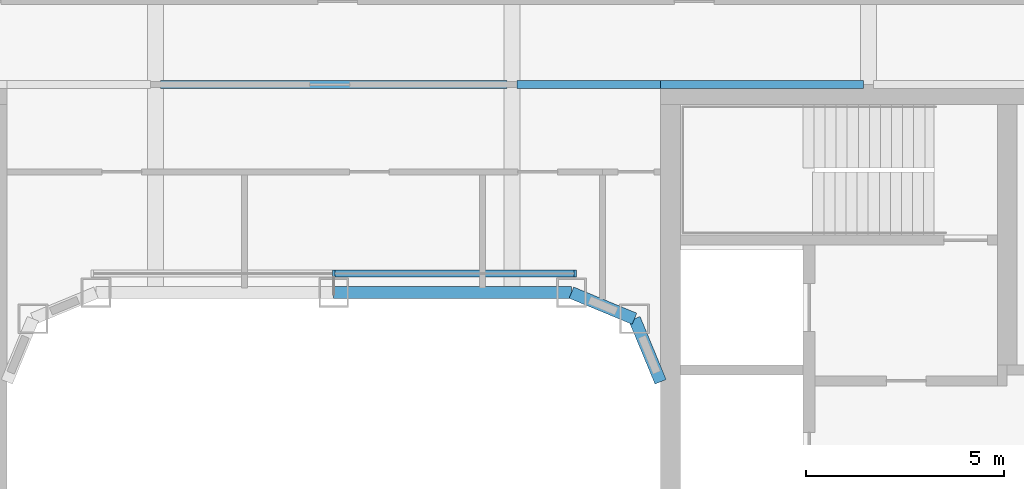
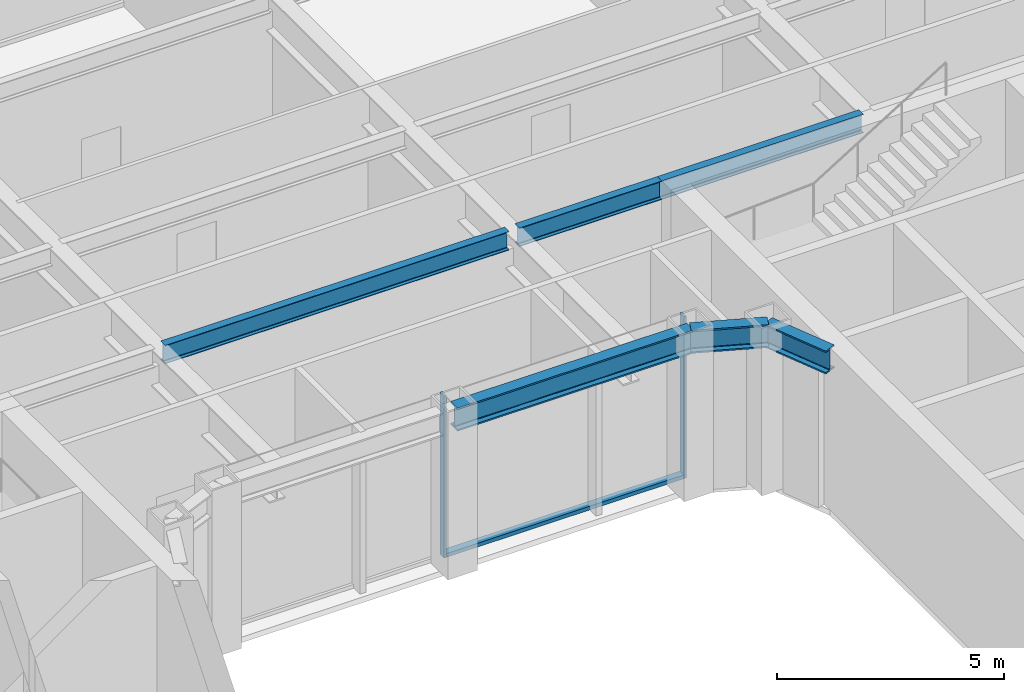
# One storey, part 8 of 30: 6 beams, 3 members, 1 element without a shape of its own.
"""IFC4 building model written with IfcOpenShell, lengths in metres."""

from ifc_helpers import new_model, si_unit, direction, frame, origin, origin_2d, place, context, subcontext, project, spatial, rectangle, i_section, extrude, material, layer, layer_set, material_profile, profile_set, type_object, element, aggregate, save


model = new_model("IFC4")

# Units and contexts
model_context = context("Model", 3, precision=1e-05, world=origin(), true_north=direction((0.0, 1.0)))
body_context = subcontext(model_context, "Body", "Model", "MODEL_VIEW")
ifc_project = project(units=[si_unit("LENGTHUNIT", "METRE"), si_unit("AREAUNIT", "SQUARE_METRE"), si_unit("VOLUMEUNIT", "CUBIC_METRE"), si_unit("PLANEANGLEUNIT", "RADIAN"), si_unit("MASSUNIT", "GRAM", prefix="KILO")], contexts=[model_context])

# Site, building, storey
site_placement = place(None, origin())
site = spatial("IfcSite", under=ifc_project, at=site_placement, CompositionType="ELEMENT")
building_placement = place(site_placement, origin())
building = spatial("IfcBuilding", under=site, at=building_placement, Name="Siwar Civic Tower", CompositionType="ELEMENT")
storey_placement = place(building_placement, frame((0.0, 0.0, 62.699951171875)))
storey = spatial("IfcBuildingStorey", under=building, at=storey_placement, Name="L13", CompositionType="ELEMENT", Elevation=62.699951171875)

# Curtain wall, members
ifc_material_1 = material(Name="Aluminium and glass", Category="aluminium")
ifc_layer = layer(ifc_material_1, 0.179931640625)
ifc_layer_set = layer_set([ifc_layer], Name="Aluminium and glass")
curtain_wall_type = type_object("IfcCurtainWallType", Name="ENV-CW-W", PredefinedType="NOTDEFINED", material=ifc_layer_set)
curtain_wall_placement = place(storey_placement, origin())
curtain_wall = element("IfcCurtainWall", 1, at=curtain_wall_placement, inside=storey, type_object=curtain_wall_type, Name="Curtain wall W WN", PredefinedType="NOTDEFINED")
ifc_material_2 = material(Name="Aluminium 6063-T6", Category="aluminium")
ifc_material_profile_1 = material_profile(ifc_material_2, rectangle(XDim=0.179931640625, YDim=0.06005859375, at=origin_2d()), Name="AL 180x60")
ifc_profile_set_1 = profile_set([ifc_material_profile_1], Name="Aluminium 6063-T6")
member_type_1 = type_object("IfcMemberType", Name="ENV-MULLION-W", PredefinedType="MULLION", material=ifc_profile_set_1)
member_1_placement = place(storey_placement, frame((6.096435546875, 8.735107421875, 0.0), z_axis=(0.0, 0.0, 1.0), x_axis=(0.0, -1.0, 0.0)))
member_1 = element("IfcMember", 2, at=member_1_placement, type_object=member_type_1, Name="Mullion W WN 1", PredefinedType="MULLION", context=body_context, shape_type="SweptSolid", body=[
    extrude(rectangle(XDim=0.179931640625, YDim=0.06005859375, at=origin_2d()), origin(), (0.0, 0.0, 1.0), 4.35009765625),
])
member_2_placement = place(storey_placement, frame((0.0, 8.735107421875, 0.0), z_axis=(0.0, 0.0, 1.0), x_axis=(0.0, -1.0, 0.0)))
member_2 = element("IfcMember", 3, at=member_2_placement, type_object=member_type_1, Name="Mullion W WN 2", PredefinedType="MULLION", context=body_context, shape_type="SweptSolid", body=[
    extrude(rectangle(XDim=0.179931640625, YDim=0.06005859375, at=origin_2d()), origin(), (0.0, 0.0, 1.0), 4.35009765625),
])
ifc_material_3 = material(Name="Aluminium 6063-T6", Category="aluminium")
ifc_material_profile_2 = material_profile(ifc_material_3, rectangle(XDim=0.179931640625, YDim=0.10009765625, at=origin_2d()), Name="AL 180x100")
ifc_profile_set_2 = profile_set([ifc_material_profile_2], Name="Aluminium 6063-T6")
member_type_2 = type_object("IfcMemberType", Name="ENV-TRANSOM-W", PredefinedType="USERDEFINED", material=ifc_profile_set_2)
member_3_placement = place(storey_placement, frame((6.06640625, 8.735107421875, 0.050048828125), z_axis=(-1.0, 0.0, 0.0), x_axis=(0.0, -1.0, 0.0)))
member_3 = element("IfcMember", 4, at=member_3_placement, type_object=member_type_2, Name="Transom W WN 1", ObjectType="TRANSOM", PredefinedType="USERDEFINED", context=body_context, shape_type="SweptSolid", body=[
    extrude(rectangle(XDim=0.179931640625, YDim=0.10009765625, at=origin_2d()), origin(), (0.0, 0.0, 1.0), 6.036376953125),
])
aggregate(curtain_wall, [member_1, member_2, member_3])

# Beams
ifc_material_4 = material(Name="Steel S355", Category="steel")
ifc_material_profile_3 = material_profile(ifc_material_4, i_section(OverallWidth=0.199951171875, OverallDepth=0.5, WebThickness=0.01025390625, FlangeThickness=0.01611328125, FilletRadius=0.02099609375, at=origin_2d()), Name="IPE500")
ifc_profile_set_3 = profile_set([ifc_material_profile_3], Name="Steel S355")
beam_type_1 = type_object("IfcBeamType", Name="STR-FB-IPE500", PredefinedType="JOIST", material=ifc_profile_set_3)
beam_1_placement = place(storey_placement, frame((-4.3701171875, 13.5, 4.10009765625), z_axis=(1.0, 0.0, 0.0), x_axis=(0.0, 1.0, 0.0)))
element("IfcBeam", 5, at=beam_1_placement, inside=storey, type_object=beam_type_1, Name="L13/bm/F041", PredefinedType="JOIST", context=body_context, shape_type="SweptSolid", body=[
    extrude(i_section(OverallWidth=0.199951171875, OverallDepth=0.5, WebThickness=0.01025390625, FlangeThickness=0.01611328125, FilletRadius=0.02099609375, at=origin_2d()), origin(), (0.0, 0.0, 1.0), 8.740234375),
])
beam_2_placement = place(storey_placement, frame((4.6298828125, 13.5, 4.10009765625), z_axis=(1.0, 0.0, 0.0), x_axis=(0.0, 1.0, 0.0)))
element("IfcBeam", 6, at=beam_2_placement, inside=storey, type_object=beam_type_1, Name="L13/bm/F042", PredefinedType="JOIST", context=body_context, shape_type="SweptSolid", body=[
    extrude(i_section(OverallWidth=0.199951171875, OverallDepth=0.5, WebThickness=0.01025390625, FlangeThickness=0.01611328125, FilletRadius=0.02099609375, at=origin_2d()), origin(), (0.0, 0.0, 1.0), 3.6201171875),
])
beam_3_placement = place(storey_placement, frame((8.25, 13.5, 4.10009765625), z_axis=(1.0, 0.0, 0.0), x_axis=(0.0, 1.0, 0.0)))
element("IfcBeam", 7, at=beam_3_placement, inside=storey, type_object=beam_type_1, Name="L13/bm/F043", PredefinedType="JOIST", context=body_context, shape_type="SweptSolid", body=[
    extrude(i_section(OverallWidth=0.199951171875, OverallDepth=0.5, WebThickness=0.01025390625, FlangeThickness=0.01611328125, FilletRadius=0.02099609375, at=origin_2d()), origin(), (0.0, 0.0, 1.0), 5.1201171875),
])
ifc_material_5 = material(Name="Steel S355", Category="steel")
ifc_material_profile_4 = material_profile(ifc_material_5, i_section(OverallWidth=0.304931640625, OverallDepth=0.6201171875, WebThickness=0.02099609375, FlangeThickness=0.0400390625, FilletRadius=0.027099609375, at=origin_2d()), Name="HEM600")
ifc_profile_set_4 = profile_set([ifc_material_profile_4], Name="Steel S355")
beam_type_2 = type_object("IfcBeamType", Name="STR-RB-HEM600", PredefinedType="BEAM", material=ifc_profile_set_4)
beam_4_placement = place(storey_placement, frame((0.0, 8.25, 4.0400390625), z_axis=(1.0, 0.0, 0.0), x_axis=(0.0, 1.0, 0.0)))
element("IfcBeam", 8, at=beam_4_placement, inside=storey, type_object=beam_type_2, Name="L13/bm/RN2", PredefinedType="BEAM", context=body_context, shape_type="SweptSolid", body=[
    extrude(i_section(OverallWidth=0.304931640625, OverallDepth=0.6201171875, WebThickness=0.02099609375, FlangeThickness=0.0400390625, FilletRadius=0.027099609375, at=origin_2d()), origin(), (0.0, 0.0, 1.0), 6.0),
])
for number, where, z_axis, x_axis, name in (
    (9, (6.0, 8.25, 4.0400390625), (0.923901072997, -0.382631424892, 0.0), (0.382631424892, 0.923901072997, 0.0), "L13/bm/RN3"),
    (10, (7.591064453125, 7.591064453125, 4.0400390625), (0.382631424892, -0.923901072997, 0.0), (0.923901072997, 0.382631424892, 0.0), "L13/bm/RNEE"),
):
    element("IfcBeam", number, at=place(storey_placement, frame(where, z_axis=z_axis, x_axis=x_axis)), inside=storey, type_object=beam_type_2, Name=name, PredefinedType="BEAM", context=body_context, shape_type="SweptSolid", body=[
        extrude(i_section(OverallWidth=0.304931640625, OverallDepth=0.6201171875, WebThickness=0.02099609375, FlangeThickness=0.0400390625, FilletRadius=0.027099609375, at=origin_2d()), origin(), (0.0, 0.0, 1.0), 1.72216796875),
    ])

save(model, "model.ifc")
